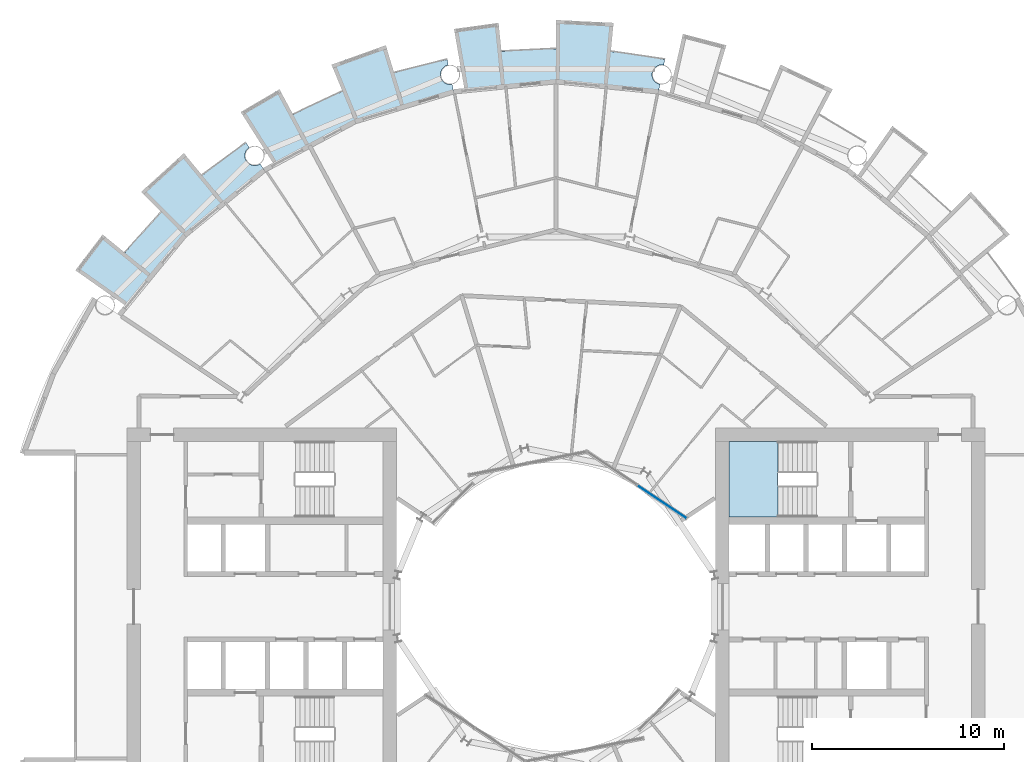
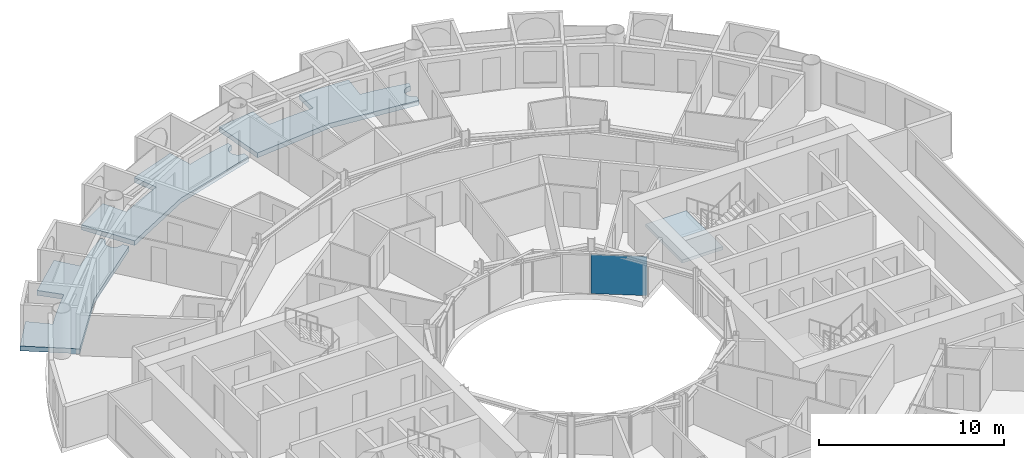
# One storey, part 11 of 26: 4 slabs, 1 plate, 2 elements without a shape of their own.
"""IFC4 building model written with IfcOpenShell, lengths in metres."""

from ifc_helpers import new_model, si_unit, direction, frame, origin, origin_2d, place, context, subcontext, project, spatial, polyline, rectangle, outline, extrude, material, layer, layer_set, type_object, element, aggregate, save


model = new_model("IFC4")

# Units and contexts
model_context = context("Model", 3, precision=1e-05, world=origin(), true_north=direction((0.0, 1.0)))
body_context = subcontext(model_context, "Body", "Model", "MODEL_VIEW")
ifc_project = project(units=[si_unit("LENGTHUNIT", "METRE"), si_unit("AREAUNIT", "SQUARE_METRE"), si_unit("VOLUMEUNIT", "CUBIC_METRE"), si_unit("PLANEANGLEUNIT", "RADIAN"), si_unit("MASSUNIT", "GRAM", prefix="KILO")], contexts=[model_context])

# Site, building, storey
site_placement = place(None, origin())
site = spatial("IfcSite", under=ifc_project, at=site_placement, CompositionType="ELEMENT")
building_placement = place(site_placement, origin())
building = spatial("IfcBuilding", under=site, at=building_placement, Name="Maasbend Ring Residences", CompositionType="ELEMENT")
storey_placement = place(building_placement, frame((0.0, 0.0, 81.89990234375)))
storey = spatial("IfcBuildingStorey", under=building, at=storey_placement, Name="L23", CompositionType="ELEMENT", Elevation=81.89990234375)

# Stair, slab
ifc_material_1 = material(Name="Concrete C40/50", Category="concrete")
stair_type = type_object("IfcStairType", Name="CORE STAIR 18 RISERS", PredefinedType="HALF_TURN_STAIR", material=ifc_material_1)
stair_placement = place(storey_placement, origin())
stair = element("IfcStair", 1, at=stair_placement, inside=storey, type_object=stair_type, Name="L23 Exit stair ST-E1", PredefinedType="HALF_TURN_STAIR")
ifc_material_2 = material(Name="Concrete C40/50", Category="concrete")
ifc_layer_1 = layer(ifc_material_2, 0.199951171875)
ifc_layer_set_1 = layer_set([ifc_layer_1], Name="Concrete C40/50")
slab_type_1 = type_object("IfcSlabType", Name="CORE STAIR LANDING 200", PredefinedType="LANDING", material=ifc_layer_set_1)
slab_1_placement = place(storey_placement, frame((0.0, 0.0, 1.3251953125)))
slab_1 = element("IfcSlab", 2, at=slab_1_placement, type_object=slab_type_1, Name="ST-E1 landing 1", PredefinedType="LANDING", context=body_context, shape_type="SweptSolid", body=[
    extrude(outline(polyline([(11.550048828125, 8.60009765625), (9.0, 8.60009765625), (9.0, 4.64990234375), (11.550048828125, 4.64990234375), (11.550048828125, 8.60009765625)])), origin(), (0.0, 0.0, 1.0), 0.199951171875),
])
aggregate(stair, [slab_1])

# Curtain wall, plate
ifc_material_3 = material(Name="Aluminium and clear glass", Category="aluminium")
ifc_layer_2 = layer(ifc_material_3, 0.179931640625)
ifc_layer_set_2 = layer_set([ifc_layer_2], Name="CW-W")
curtain_wall_type = type_object("IfcCurtainWallType", Name="CW-W", PredefinedType="NOTDEFINED", material=ifc_layer_set_2)
curtain_wall_placement = place(storey_placement, origin())
curtain_wall = element("IfcCurtainWall", 3, at=curtain_wall_placement, inside=storey, type_object=curtain_wall_type, Name="Well curtain wall N1", PredefinedType="NOTDEFINED")
ifc_material_4 = material(Name="Glass clear laminated", Category="glass")
ifc_layer_3 = layer(ifc_material_4, 0.031982421875)
ifc_layer_set_3 = layer_set([ifc_layer_3], Name="CWP-W")
plate_type = type_object("IfcPlateType", Name="CWP-W", PredefinedType="CURTAIN_PANEL", material=ifc_layer_set_3)
plate_placement = place(storey_placement, frame((5.51123046875, 5.44580078125, 0.0), z_axis=(0.0, 0.0, 1.0), x_axis=(-0.831469612303, 0.55557023302, 0.0)))
plate = element("IfcPlate", 4, at=plate_placement, type_object=plate_type, Name="Glass panel well face", PredefinedType="CURTAIN_PANEL", context=body_context, shape_type="SweptSolid", body=[
    extrude(rectangle(XDim=3.053955078125, YDim=0.031982421875, at=origin_2d()), origin(), (0.0, 0.0, 1.0), 2.580078125),
])
aggregate(curtain_wall, [plate])

# Slabs
ifc_material_5 = material(Name="Concrete C40/50", Category="concrete")
ifc_layer_4 = layer(ifc_material_5, 0.199951171875)
ifc_layer_set_4 = layer_set([ifc_layer_4], Name="Concrete C40/50")
slab_type_2 = type_object("IfcSlabType", Name="SL-LOGGIA", PredefinedType="FLOOR", material=ifc_layer_set_4)
slab_2_placement = place(storey_placement, frame((0.0, 0.0, -0.349853515625)))
element("IfcSlab", 5, at=slab_2_placement, inside=storey, type_object=slab_type_2, Name="Loggia floor 2", PredefinedType="FLOOR", context=body_context, shape_type="SweptSolid", body=[
    extrude(outline(polyline([(-13.6708984375, 25.575927734375), (-13.6708984375, 25.575927734375), (-13.6708984375, 25.575927734375), (-13.6708984375, 25.575927734375), (-13.6708984375, 25.575927734375), (-13.6708984375, 25.575927734375), (-13.6708984375, 25.575927734375), (-13.669921875, 25.575927734375), (-13.669921875, 25.575927734375), (-13.669921875, 25.575927734375), (-13.669921875, 25.575927734375), (-13.669921875, 25.575927734375), (-13.669921875, 25.575927734375), (-13.669921875, 25.575927734375), (-13.669921875, 25.575927734375), (-13.669921875, 25.575927734375), (-13.669921875, 25.575927734375), (-12.825927734375, 26.009033203125), (-12.825927734375, 26.009033203125), (-11.968994140625, 26.4150390625), (-11.968994140625, 26.4150390625), (-11.097900390625, 26.7919921875), (-11.097900390625, 26.7919921875), (-11.097900390625, 26.7919921875), (-11.097900390625, 26.7919921875), (-11.097900390625, 26.7919921875), (-11.097900390625, 26.7919921875), (-11.097900390625, 26.7919921875), (-11.097900390625, 26.79296875), (-11.097900390625, 26.79296875), (-11.097900390625, 26.79296875), (-11.097900390625, 26.79296875), (-11.097900390625, 26.79296875), (-11.097900390625, 26.79296875), (-11.097900390625, 26.79296875), (-11.097900390625, 26.79296875), (-11.097900390625, 26.79296875), (-11.097900390625, 26.79296875), (-11.672119140625, 28.177978515625), (-11.672119140625, 28.177978515625), (-11.672119140625, 28.177978515625), (-8.85400390625, 29.18701171875), (-8.85400390625, 29.18701171875), (-8.85400390625, 29.18701171875), (-8.41796875, 27.751953125), (-8.41796875, 27.751953125), (-8.41796875, 27.751953125), (-8.41796875, 27.751953125), (-8.41796875, 27.751953125), (-8.41796875, 27.751953125), (-8.41796875, 27.751953125), (-8.41796875, 27.7509765625), (-8.41796875, 27.7509765625), (-8.41796875, 27.7509765625), (-8.41796875, 27.7509765625), (-8.41796875, 27.7509765625), (-8.41796875, 27.7509765625), (-8.41796875, 27.7509765625), (-8.41796875, 27.7509765625), (-8.41796875, 27.7509765625), (-8.41796875, 27.7509765625), (-7.506103515625, 28.011962890625), (-7.506103515625, 28.011962890625), (-6.5849609375, 28.241943359375), (-6.5849609375, 28.241943359375), (-5.657958984375, 28.443115234375), (-5.657958984375, 28.443115234375), (-5.657958984375, 28.443115234375), (-5.60107421875, 28.156005859375), (-5.613037109375, 28.154052734375), (-5.625, 28.15087890625), (-5.636962890625, 28.14794921875), (-5.64892578125, 28.14404296875), (-5.660888671875, 28.139892578125), (-5.673095703125, 28.135986328125), (-5.68408203125, 28.132080078125), (-5.696044921875, 28.126953125), (-5.70703125, 28.123046875), (-5.718994140625, 28.116943359375), (-5.72998046875, 28.112060546875), (-5.740966796875, 28.10595703125), (-5.751953125, 28.10009765625), (-5.762939453125, 28.093994140625), (-5.77294921875, 28.0869140625), (-5.783935546875, 28.080078125), (-5.7939453125, 28.072998046875), (-5.803955078125, 28.06591796875), (-5.81396484375, 28.05908203125), (-5.823974609375, 28.051025390625), (-5.8330078125, 28.04296875), (-5.843017578125, 28.034912109375), (-5.85205078125, 28.02587890625), (-5.861083984375, 28.01708984375), (-5.868896484375, 28.008056640625), (-5.8779296875, 27.9990234375), (-5.885986328125, 27.989990234375), (-5.89404296875, 27.97998046875), (-5.902099609375, 27.970947265625), (-5.909912109375, 27.9609375), (-5.9169921875, 27.950927734375), (-5.924072265625, 27.93994140625), (-5.930908203125, 27.929931640625), (-5.93701171875, 27.9189453125), (-5.944091796875, 27.907958984375), (-5.949951171875, 27.89794921875), (-5.955078125, 27.886962890625), (-5.9609375, 27.875), (-5.966064453125, 27.864013671875), (-5.970947265625, 27.85302734375), (-5.97509765625, 27.841064453125), (-5.97998046875, 27.8291015625), (-5.98388671875, 27.81689453125), (-5.988037109375, 27.805908203125), (-5.990966796875, 27.7939453125), (-5.993896484375, 27.781982421875), (-5.9970703125, 27.76904296875), (-6.0, 27.757080078125), (-6.001953125, 27.7451171875), (-6.00390625, 27.73291015625), (-6.006103515625, 27.719970703125), (-6.007080078125, 27.7080078125), (-6.008056640625, 27.695068359375), (-6.009033203125, 27.68310546875), (-6.009033203125, 27.6708984375), (-6.010009765625, 27.657958984375), (-6.009033203125, 27.64599609375), (-6.009033203125, 27.633056640625), (-6.008056640625, 27.62109375), (-6.007080078125, 27.60791015625), (-6.006103515625, 27.595947265625), (-6.00390625, 27.583984375), (-6.001953125, 27.571044921875), (-6.0, 27.55908203125), (-5.9970703125, 27.547119140625), (-5.993896484375, 27.534912109375), (-5.990966796875, 27.52294921875), (-5.988037109375, 27.510986328125), (-5.98388671875, 27.4990234375), (-5.97998046875, 27.487060546875), (-5.97509765625, 27.47509765625), (-5.970947265625, 27.464111328125), (-5.966064453125, 27.451904296875), (-5.9609375, 27.44091796875), (-5.955078125, 27.429931640625), (-5.949951171875, 27.4189453125), (-5.944091796875, 27.407958984375), (-5.93701171875, 27.39697265625), (-5.930908203125, 27.385986328125), (-5.924072265625, 27.3759765625), (-5.9169921875, 27.365966796875), (-5.909912109375, 27.35498046875), (-5.902099609375, 27.345947265625), (-5.89404296875, 27.3359375), (-5.885986328125, 27.325927734375), (-5.8779296875, 27.31689453125), (-5.868896484375, 27.30810546875), (-5.861083984375, 27.299072265625), (-5.85205078125, 27.2900390625), (-5.843017578125, 27.281982421875), (-5.8330078125, 27.27294921875), (-5.823974609375, 27.264892578125), (-5.81396484375, 27.258056640625), (-5.803955078125, 27.25), (-5.7939453125, 27.242919921875), (-5.783935546875, 27.236083984375), (-5.77294921875, 27.22900390625), (-5.762939453125, 27.221923828125), (-5.751953125, 27.216064453125), (-5.740966796875, 27.2099609375), (-5.72998046875, 27.2041015625), (-5.718994140625, 27.198974609375), (-5.70703125, 27.194091796875), (-5.696044921875, 27.18896484375), (-5.68408203125, 27.18408203125), (-5.673095703125, 27.179931640625), (-5.660888671875, 27.176025390625), (-5.64892578125, 27.172119140625), (-5.636962890625, 27.1689453125), (-5.625, 27.1650390625), (-5.613037109375, 27.162109375), (-5.60107421875, 27.159912109375), (-5.587890625, 27.157958984375), (-5.575927734375, 27.156005859375), (-5.56396484375, 27.154052734375), (-5.551025390625, 27.153076171875), (-5.5390625, 27.15087890625), (-5.52587890625, 27.15087890625), (-5.513916015625, 27.14990234375), (-5.501953125, 27.14990234375), (-5.489013671875, 27.14990234375), (-5.47705078125, 27.15087890625), (-5.464111328125, 27.15087890625), (-5.451904296875, 27.153076171875), (-5.43896484375, 27.154052734375), (-5.427001953125, 27.156005859375), (-5.4150390625, 27.157958984375), (-5.402099609375, 27.159912109375), (-5.325927734375, 26.77490234375), (-5.325927734375, 26.77490234375), (-5.325927734375, 26.77490234375), (-7.886962890625, 25.9990234375), (-10.447021484375, 25.221923828125), (-10.447021484375, 25.221923828125), (-10.447021484375, 25.221923828125), (-12.806884765625, 23.9609375), (-14.64599609375, 22.97705078125), (-14.64599609375, 22.97705078125), (-14.64599609375, 22.97705078125), (-16.39404296875, 25.718994140625), (-16.39404296875, 25.718994140625), (-16.39404296875, 25.718994140625), (-14.3779296875, 26.89892578125), (-14.3779296875, 26.89892578125), (-14.3779296875, 26.89892578125), (-13.6708984375, 25.575927734375)])), origin(), (0.0, 0.0, 1.0), 0.320068359375),
])
slab_3_placement = place(storey_placement, frame((0.0, 0.0, -0.349853515625)))
element("IfcSlab", 6, at=slab_3_placement, inside=storey, type_object=slab_type_2, Name="Loggia floor 3", PredefinedType="FLOOR", context=body_context, shape_type="SweptSolid", body=[
    extrude(outline(polyline([(-2.843017578125, 28.861083984375), (-2.843017578125, 28.861083984375), (-2.843017578125, 28.861083984375), (-2.843017578125, 28.861083984375), (-2.842041015625, 28.861083984375), (-2.842041015625, 28.861083984375), (-2.842041015625, 28.861083984375), (-2.842041015625, 28.861083984375), (-2.842041015625, 28.861083984375), (-2.842041015625, 28.860107421875), (-2.842041015625, 28.860107421875), (-2.842041015625, 28.860107421875), (-2.842041015625, 28.860107421875), (-2.842041015625, 28.860107421875), (-2.842041015625, 28.860107421875), (-2.842041015625, 28.860107421875), (-2.842041015625, 28.860107421875), (-1.89697265625, 28.93798828125), (-1.89697265625, 28.93798828125), (-0.948974609375, 28.98388671875), (-0.948974609375, 28.98388671875), (0.0, 29.0), (0.0, 29.0), (0.0, 29.0), (0.0, 29.0), (0.0, 29.0), (0.0, 29.0), (0.0, 29.0), (0.0, 29.0), (0.0, 29.0), (0.0, 29.0), (0.0, 29.0), (0.0, 29.0), (0.0, 29.0), (0.0, 29.0), (0.0, 29.0), (0.0, 29.0), (0.0, 29.0), (0.0, 30.5), (0.0, 30.5), (0.0, 30.5), (2.989990234375, 30.35302734375), (2.989990234375, 30.35302734375), (2.989990234375, 30.35302734375), (2.843017578125, 28.861083984375), (2.843017578125, 28.861083984375), (2.843017578125, 28.861083984375), (2.843017578125, 28.861083984375), (2.843017578125, 28.861083984375), (2.843017578125, 28.861083984375), (2.843017578125, 28.861083984375), (2.843017578125, 28.861083984375), (2.843017578125, 28.860107421875), (2.843017578125, 28.860107421875), (2.843017578125, 28.860107421875), (2.843017578125, 28.860107421875), (2.843017578125, 28.860107421875), (2.843017578125, 28.860107421875), (2.843017578125, 28.860107421875), (2.843017578125, 28.860107421875), (2.843017578125, 28.860107421875), (3.784912109375, 28.751953125), (3.784912109375, 28.751953125), (4.72412109375, 28.613037109375), (4.72412109375, 28.613037109375), (5.657958984375, 28.443115234375), (5.657958984375, 28.443115234375), (5.657958984375, 28.443115234375), (5.60107421875, 28.156005859375), (5.60107421875, 28.156005859375), (5.587890625, 28.158935546875), (5.575927734375, 28.160888671875), (5.56396484375, 28.162109375), (5.551025390625, 28.1640625), (5.5390625, 28.1650390625), (5.52587890625, 28.1650390625), (5.513916015625, 28.166015625), (5.501953125, 28.166015625), (5.489013671875, 28.166015625), (5.47705078125, 28.1650390625), (5.464111328125, 28.1650390625), (5.451904296875, 28.1640625), (5.43896484375, 28.162109375), (5.427001953125, 28.160888671875), (5.4150390625, 28.158935546875), (5.402099609375, 28.156005859375), (5.389892578125, 28.154052734375), (5.3779296875, 28.15087890625), (5.365966796875, 28.14794921875), (5.35400390625, 28.14404296875), (5.342041015625, 28.139892578125), (5.330078125, 28.135986328125), (5.319091796875, 28.132080078125), (5.306884765625, 28.126953125), (5.2958984375, 28.123046875), (5.283935546875, 28.116943359375), (5.27294921875, 28.112060546875), (5.261962890625, 28.10595703125), (5.2509765625, 28.10009765625), (5.239990234375, 28.093994140625), (5.22998046875, 28.0869140625), (5.218994140625, 28.080078125), (5.208984375, 28.072998046875), (5.198974609375, 28.06591796875), (5.18896484375, 28.05908203125), (5.178955078125, 28.051025390625), (5.169921875, 28.04296875), (5.159912109375, 28.034912109375), (5.15087890625, 28.02587890625), (5.14208984375, 28.01708984375), (5.134033203125, 28.008056640625), (5.125, 27.9990234375), (5.116943359375, 27.989990234375), (5.10888671875, 27.97998046875), (5.10107421875, 27.970947265625), (5.093017578125, 27.9609375), (5.0859375, 27.950927734375), (5.0791015625, 27.93994140625), (5.072021484375, 27.929931640625), (5.06591796875, 27.9189453125), (5.05908203125, 27.907958984375), (5.052978515625, 27.89794921875), (5.048095703125, 27.886962890625), (5.0419921875, 27.875), (5.037109375, 27.864013671875), (5.031982421875, 27.85302734375), (5.028076171875, 27.841064453125), (5.02294921875, 27.8291015625), (5.01904296875, 27.81689453125), (5.014892578125, 27.805908203125), (5.011962890625, 27.7939453125), (5.009033203125, 27.781982421875), (5.006103515625, 27.76904296875), (5.0029296875, 27.757080078125), (5.0009765625, 27.7451171875), (4.9990234375, 27.73291015625), (4.9970703125, 27.719970703125), (4.99609375, 27.7080078125), (4.9951171875, 27.695068359375), (4.993896484375, 27.68310546875), (4.993896484375, 27.6708984375), (4.993896484375, 27.657958984375), (4.993896484375, 27.64599609375), (4.993896484375, 27.633056640625), (4.9951171875, 27.62109375), (4.99609375, 27.60791015625), (4.9970703125, 27.595947265625), (4.9990234375, 27.583984375), (5.0009765625, 27.571044921875), (5.0029296875, 27.55908203125), (5.006103515625, 27.547119140625), (5.009033203125, 27.534912109375), (5.011962890625, 27.52294921875), (5.014892578125, 27.510986328125), (5.01904296875, 27.4990234375), (5.02294921875, 27.487060546875), (5.028076171875, 27.47509765625), (5.031982421875, 27.464111328125), (5.037109375, 27.451904296875), (5.0419921875, 27.44091796875), (5.048095703125, 27.429931640625), (5.052978515625, 27.4189453125), (5.05908203125, 27.407958984375), (5.06591796875, 27.39697265625), (5.072021484375, 27.385986328125), (5.0791015625, 27.3759765625), (5.0859375, 27.365966796875), (5.093017578125, 27.35498046875), (5.10107421875, 27.345947265625), (5.10888671875, 27.3359375), (5.116943359375, 27.325927734375), (5.125, 27.31689453125), (5.134033203125, 27.30810546875), (5.14208984375, 27.299072265625), (5.15087890625, 27.2900390625), (5.159912109375, 27.281982421875), (5.169921875, 27.27294921875), (5.178955078125, 27.264892578125), (5.18896484375, 27.258056640625), (5.198974609375, 27.25), (5.208984375, 27.242919921875), (5.218994140625, 27.236083984375), (5.22998046875, 27.22900390625), (5.239990234375, 27.221923828125), (5.2509765625, 27.216064453125), (5.261962890625, 27.2099609375), (5.27294921875, 27.2041015625), (5.283935546875, 27.198974609375), (5.2958984375, 27.194091796875), (5.306884765625, 27.18896484375), (5.319091796875, 27.18408203125), (5.330078125, 27.179931640625), (5.342041015625, 27.176025390625), (5.35400390625, 27.172119140625), (5.365966796875, 27.1689453125), (5.3779296875, 27.1650390625), (5.389892578125, 27.162109375), (5.402099609375, 27.159912109375), (5.402099609375, 27.159912109375), (5.325927734375, 26.77490234375), (5.325927734375, 26.77490234375), (5.325927734375, 26.77490234375), (2.6630859375, 27.0380859375), (0.0, 27.300048828125), (0.0, 27.300048828125), (0.0, 27.300048828125), (-2.6630859375, 27.0380859375), (-4.739013671875, 26.8330078125), (-4.739013671875, 26.8330078125), (-4.739013671875, 26.8330078125), (-5.303955078125, 30.034912109375), (-5.303955078125, 30.034912109375), (-5.303955078125, 30.034912109375), (-2.989990234375, 30.35302734375), (-2.989990234375, 30.35302734375), (-2.989990234375, 30.35302734375), (-2.843017578125, 28.861083984375)])), origin(), (0.0, 0.0, 1.0), 0.320068359375),
])
slab_4_placement = place(storey_placement, frame((0.0, 0.0, -0.349853515625)))
element("IfcSlab", 7, at=slab_4_placement, inside=storey, type_object=slab_type_2, Name="Loggia floor 5", PredefinedType="FLOOR", context=body_context, shape_type="SweptSolid", body=[
    extrude(outline(polyline([(-22.41796875, 18.39794921875), (-22.41796875, 18.39794921875), (-22.41796875, 18.39794921875), (-22.41796875, 18.39794921875), (-22.41796875, 18.39794921875), (-22.4169921875, 18.39794921875), (-22.4169921875, 18.39794921875), (-22.4169921875, 18.39794921875), (-22.4169921875, 18.39794921875), (-22.4169921875, 18.39794921875), (-22.4169921875, 18.39794921875), (-22.4169921875, 18.39794921875), (-22.4169921875, 18.39794921875), (-22.4169921875, 18.39794921875), (-22.4169921875, 18.39794921875), (-22.4169921875, 18.39794921875), (-22.4169921875, 18.39794921875), (-21.802978515625, 19.12109375), (-21.802978515625, 19.12109375), (-21.166015625, 19.823974609375), (-21.166015625, 19.823974609375), (-20.506103515625, 20.506103515625), (-20.506103515625, 20.506103515625), (-20.506103515625, 20.506103515625), (-20.506103515625, 20.506103515625), (-20.506103515625, 20.506103515625), (-20.506103515625, 20.506103515625), (-20.506103515625, 20.506103515625), (-20.506103515625, 20.506103515625), (-20.506103515625, 20.506103515625), (-20.506103515625, 20.506103515625), (-20.506103515625, 20.506103515625), (-20.506103515625, 20.506103515625), (-20.506103515625, 20.506103515625), (-20.506103515625, 20.506103515625), (-20.506103515625, 20.506103515625), (-20.506103515625, 20.506103515625), (-20.506103515625, 20.506103515625), (-21.56689453125, 21.56689453125), (-21.56689453125, 21.56689453125), (-21.56689453125, 21.56689453125), (-19.34912109375, 23.576904296875), (-19.34912109375, 23.576904296875), (-19.34912109375, 23.576904296875), (-18.39794921875, 22.41796875), (-18.39794921875, 22.41796875), (-18.39794921875, 22.41796875), (-18.39794921875, 22.41796875), (-18.39794921875, 22.41796875), (-18.39794921875, 22.41796875), (-18.39697265625, 22.41796875), (-18.39697265625, 22.41796875), (-18.39697265625, 22.41796875), (-18.39697265625, 22.41796875), (-18.39697265625, 22.41796875), (-18.39697265625, 22.41796875), (-18.39697265625, 22.41796875), (-18.39697265625, 22.41796875), (-18.39697265625, 22.41796875), (-18.39697265625, 22.41796875), (-18.39697265625, 22.41796875), (-17.654052734375, 23.007080078125), (-17.654052734375, 23.007080078125), (-16.89208984375, 23.572998046875), (-16.89208984375, 23.572998046875), (-16.112060546875, 24.113037109375), (-16.112060546875, 24.113037109375), (-16.112060546875, 24.113037109375), (-15.948974609375, 23.8701171875), (-15.948974609375, 23.8701171875), (-15.9599609375, 23.863037109375), (-15.969970703125, 23.85498046875), (-15.97998046875, 23.847900390625), (-15.989013671875, 23.840087890625), (-15.9990234375, 23.83203125), (-16.008056640625, 23.823974609375), (-16.01708984375, 23.81494140625), (-16.02587890625, 23.806884765625), (-16.034912109375, 23.798095703125), (-16.0439453125, 23.7890625), (-16.052001953125, 23.779052734375), (-16.06005859375, 23.77001953125), (-16.068115234375, 23.760009765625), (-16.074951171875, 23.75), (-16.08203125, 23.739990234375), (-16.089111328125, 23.72998046875), (-16.095947265625, 23.718994140625), (-16.10302734375, 23.708984375), (-16.10888671875, 23.697998046875), (-16.114990234375, 23.68701171875), (-16.12109375, 23.676025390625), (-16.1259765625, 23.6650390625), (-16.132080078125, 23.653076171875), (-16.135986328125, 23.64208984375), (-16.14111328125, 23.6298828125), (-16.14501953125, 23.618896484375), (-16.14892578125, 23.60693359375), (-16.153076171875, 23.594970703125), (-16.156982421875, 23.5830078125), (-16.159912109375, 23.571044921875), (-16.1630859375, 23.55908203125), (-16.1650390625, 23.547119140625), (-16.16796875, 23.533935546875), (-16.169921875, 23.52197265625), (-16.1708984375, 23.510009765625), (-16.173095703125, 23.4970703125), (-16.174072265625, 23.485107421875), (-16.174072265625, 23.471923828125), (-16.175048828125, 23.4599609375), (-16.175048828125, 23.447021484375), (-16.175048828125, 23.43505859375), (-16.174072265625, 23.422119140625), (-16.174072265625, 23.409912109375), (-16.173095703125, 23.39794921875), (-16.1708984375, 23.385009765625), (-16.169921875, 23.373046875), (-16.16796875, 23.361083984375), (-16.1650390625, 23.347900390625), (-16.1630859375, 23.3359375), (-16.159912109375, 23.323974609375), (-16.156982421875, 23.31201171875), (-16.153076171875, 23.300048828125), (-16.14892578125, 23.2880859375), (-16.14501953125, 23.27587890625), (-16.14111328125, 23.264892578125), (-16.135986328125, 23.2529296875), (-16.132080078125, 23.241943359375), (-16.1259765625, 23.22998046875), (-16.12109375, 23.218994140625), (-16.114990234375, 23.2080078125), (-16.10888671875, 23.197021484375), (-16.10302734375, 23.18603515625), (-16.095947265625, 23.176025390625), (-16.089111328125, 23.1650390625), (-16.08203125, 23.155029296875), (-16.074951171875, 23.14501953125), (-16.068115234375, 23.135009765625), (-16.06005859375, 23.125), (-16.052001953125, 23.115966796875), (-16.0439453125, 23.10595703125), (-16.034912109375, 23.096923828125), (-16.02587890625, 23.087890625), (-16.01708984375, 23.0791015625), (-16.008056640625, 23.071044921875), (-15.9990234375, 23.06298828125), (-15.989013671875, 23.054931640625), (-15.97998046875, 23.047119140625), (-15.969970703125, 23.0390625), (-15.9599609375, 23.031982421875), (-15.948974609375, 23.02490234375), (-15.93896484375, 23.01806640625), (-15.927978515625, 23.011962890625), (-15.9169921875, 23.0048828125), (-15.906982421875, 22.9990234375), (-15.89599609375, 22.993896484375), (-15.884033203125, 22.988037109375), (-15.873046875, 22.98291015625), (-15.862060546875, 22.97802734375), (-15.85009765625, 22.972900390625), (-15.837890625, 22.968994140625), (-15.825927734375, 22.965087890625), (-15.81494140625, 22.9609375), (-15.802978515625, 22.9580078125), (-15.791015625, 22.955078125), (-15.778076171875, 22.951904296875), (-15.76611328125, 22.948974609375), (-15.75390625, 22.947021484375), (-15.741943359375, 22.945068359375), (-15.72900390625, 22.943115234375), (-15.717041015625, 22.94189453125), (-15.7041015625, 22.94091796875), (-15.69189453125, 22.93994140625), (-15.679931640625, 22.93994140625), (-15.6669921875, 22.93896484375), (-15.655029296875, 22.93994140625), (-15.64208984375, 22.93994140625), (-15.6298828125, 22.94091796875), (-15.616943359375, 22.94189453125), (-15.60498046875, 22.943115234375), (-15.593017578125, 22.945068359375), (-15.580078125, 22.947021484375), (-15.568115234375, 22.948974609375), (-15.555908203125, 22.951904296875), (-15.5439453125, 22.955078125), (-15.531982421875, 22.9580078125), (-15.52001953125, 22.9609375), (-15.508056640625, 22.965087890625), (-15.49609375, 22.968994140625), (-15.48388671875, 22.972900390625), (-15.472900390625, 22.97802734375), (-15.4609375, 22.98291015625), (-15.449951171875, 22.988037109375), (-15.43896484375, 22.993896484375), (-15.427978515625, 22.9990234375), (-15.4169921875, 23.0048828125), (-15.406005859375, 23.011962890625), (-15.39501953125, 23.01806640625), (-15.385009765625, 23.02490234375), (-15.385009765625, 23.02490234375), (-15.1669921875, 22.698974609375), (-15.1669921875, 22.698974609375), (-15.1669921875, 22.698974609375), (-17.236083984375, 21.001953125), (-19.303955078125, 19.303955078125), (-19.303955078125, 19.303955078125), (-19.303955078125, 19.303955078125), (-21.001953125, 17.236083984375), (-22.324951171875, 15.623046875), (-22.324951171875, 15.623046875), (-22.324951171875, 15.623046875), (-24.989013671875, 17.488037109375), (-24.989013671875, 17.488037109375), (-24.989013671875, 17.488037109375), (-23.576904296875, 19.34912109375), (-23.576904296875, 19.34912109375), (-23.576904296875, 19.34912109375), (-22.41796875, 18.39794921875)])), origin(), (0.0, 0.0, 1.0), 0.320068359375),
])

save(model, "model.ifc")
